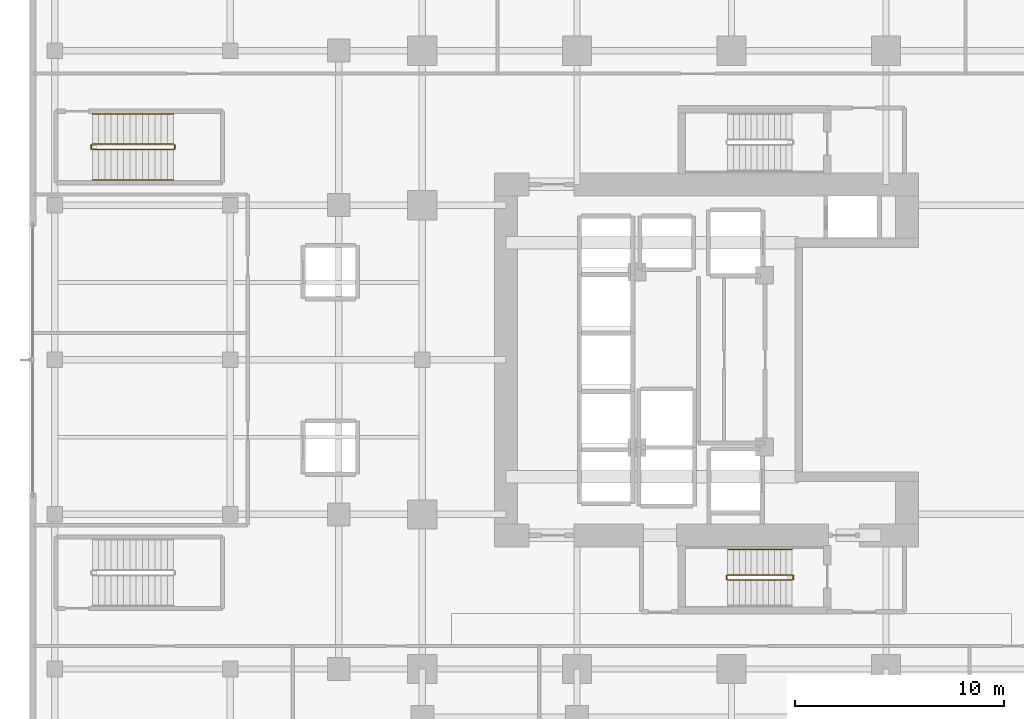
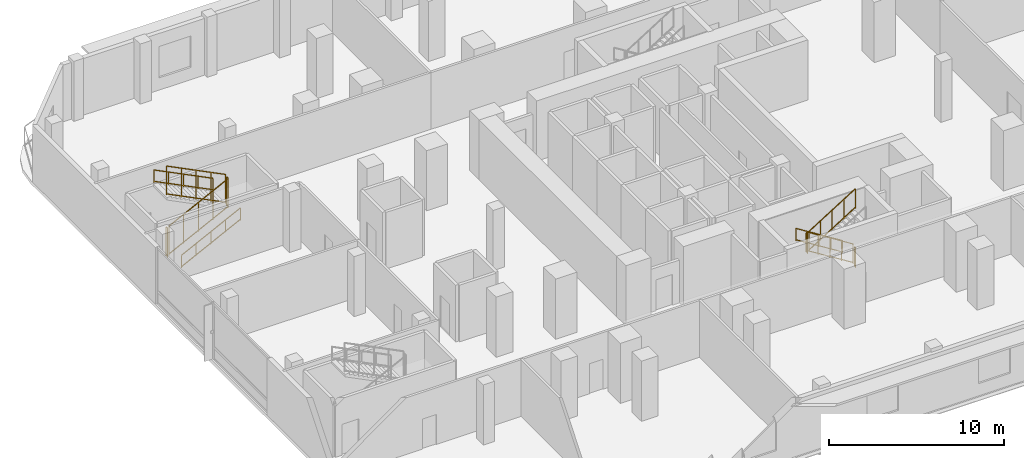
# One storey, part 15 of 19: 11 railings.
"""IFC4 building model written with IfcOpenShell, lengths in metres."""

import ifcopenshell
import ifcopenshell.guid

model = None  # the IFC model being written
_history = None  # IfcOwnerHistory: only IFC2X3 demands one
_inside = {}  # id of a spatial element -> (the spatial element, [elements in it])
_under = {}  # id of a project, library or spatial element -> (it, [spatial elements below it])
_declared = {}  # id of a project -> (the project, [libraries it declares])
_typed = {}  # id of a type object -> (the type object, [elements of that type])
_made_of = {}  # id of a material, layer set ... -> (it, [elements and type objects made of it])


def new_model(schema):
    """Start an empty IFC model of exactly this schema.

    Asked for "IFC4X3", IfcOpenShell would pick the latest addendum, in which some entities
    have other attributes; the version numbers below select the first issue.
    IFC2X3 requires an IfcOwnerHistory on every rooted entity: one is made here for all.
    """
    global model, _history
    if schema == "IFC4X3":
        model = ifcopenshell.file(schema_version=(4, 3, 0, 0))
    else:
        model = ifcopenshell.file(schema=schema)
    _inside.clear()
    _under.clear()
    _declared.clear()
    _typed.clear()
    _made_of.clear()
    _history = None
    if model.schema == "IFC2X3":
        org = make("IfcOrganization", Name="unknown")
        user = make(
            "IfcPersonAndOrganization",
            ThePerson=make("IfcPerson", FamilyName="unknown"),
            TheOrganization=org,
        )
        app = make(
            "IfcApplication",
            ApplicationDeveloper=org,
            Version="unknown",
            ApplicationFullName="unknown",
            ApplicationIdentifier="unknown",
        )
        _history = make(
            "IfcOwnerHistory",
            OwningUser=user,
            OwningApplication=app,
            ChangeAction="ADDED",
            CreationDate=0,
        )
    return model


def make(cls, **values):
    """One entity of the class cls with the attributes given. An attribute that is None is left unset."""
    return model.create_entity(
        cls, **{name: value for name, value in values.items() if value is not None}
    )


def rooted(cls, **values):
    """An entity with a GlobalId (a new one), such as an element, a storey or a relation."""
    return make(cls, GlobalId=ifcopenshell.guid.new(), OwnerHistory=_history, **values)


def si_unit(unit_type, name, prefix=None):
    """IfcSIUnit, for example si_unit("LENGTHUNIT", "METRE", prefix="MILLI")."""
    return make("IfcSIUnit", UnitType=unit_type, Prefix=prefix, Name=name)


def assignment(units):
    """IfcUnitAssignment: the units of a project."""
    return None if units is None else make("IfcUnitAssignment", Units=units)


def point(xyz):
    """IfcCartesianPoint."""
    return None if xyz is None else make("IfcCartesianPoint", Coordinates=xyz)


def direction(xyz):
    """IfcDirection."""
    return None if xyz is None else make("IfcDirection", DirectionRatios=xyz)


def frame(location, z_axis=None, x_axis=None):
    """IfcAxis2Placement3D, a coordinate frame: its origin and axes. An axis left out is left unset."""
    return make(
        "IfcAxis2Placement3D",
        Location=point(location),
        Axis=direction(z_axis),
        RefDirection=direction(x_axis),
    )


def frame_2d(location, x_axis=None):
    """IfcAxis2Placement2D, a coordinate frame in the plane: its origin and x axis."""
    return make(
        "IfcAxis2Placement2D", Location=point(location), RefDirection=direction(x_axis)
    )


def origin():
    """The frame at (0, 0, 0) with its axes left unset."""
    return frame((0.0, 0.0, 0.0))


def origin_2d():
    """The frame at (0, 0) in the plane with its x axis left unset."""
    return frame_2d((0.0, 0.0))


def place(relative_to, where):
    """IfcLocalPlacement: puts the frame where relative to a parent placement (None: the world)."""
    return make(
        "IfcLocalPlacement", PlacementRelTo=relative_to, RelativePlacement=where
    )


def context(
    kind, dimensions, precision=None, world=None, true_north=None, identifier=None
):
    """IfcGeometricRepresentationContext, for example the 3D "Model" context."""
    return make(
        "IfcGeometricRepresentationContext",
        ContextIdentifier=identifier,
        ContextType=kind,
        CoordinateSpaceDimension=dimensions,
        Precision=precision,
        WorldCoordinateSystem=world,
        TrueNorth=true_north,
    )


def subcontext(parent, identifier, kind, view, scale=None):
    """IfcGeometricRepresentationSubContext, for example "Body" below "Model"."""
    return make(
        "IfcGeometricRepresentationSubContext",
        ContextIdentifier=identifier,
        ContextType=kind,
        ParentContext=parent,
        TargetScale=scale,
        TargetView=view,
    )


def project(units=None, contexts=None):
    """IfcProject with its units and contexts."""
    return rooted(
        "IfcProject",
        Name="project",
        RepresentationContexts=contexts,
        UnitsInContext=assignment(units),
    )


def spatial(cls, under=None, at=None, **own):
    """A site, building, storey or space (cls), placed at a placement, below another one or the project."""
    s = rooted(cls, ObjectPlacement=at, **own)
    if under is not None:
        _under.setdefault(under.id(), (under, []))[1].append(s)
    return s


def profile(cls, at=None, kind="AREA", **sizes):
    """A parametric profile (cls). Its sizes go by their IFC names, for example OverallWidth=200.0."""
    return make(cls, ProfileType=kind, Position=at, **sizes)


def rectangle(**sizes):
    """IfcRectangleProfileDef."""
    return profile("IfcRectangleProfileDef", **sizes)


def extrude(swept, where, along, depth):
    """IfcExtrudedAreaSolid: the profile swept, set in the frame where, extruded along a direction by depth."""
    return make(
        "IfcExtrudedAreaSolid",
        SweptArea=swept,
        Position=where,
        ExtrudedDirection=direction(along),
        Depth=depth,
    )


def shape(context_of_items, identifier, shape_type, items):
    """IfcShapeRepresentation: the items that make up one representation, for example the "Body"."""
    return make(
        "IfcShapeRepresentation",
        ContextOfItems=context_of_items,
        RepresentationIdentifier=identifier,
        RepresentationType=shape_type,
        Items=items,
    )


def material(Name=None, Category=None):
    """IfcMaterial."""
    return make("IfcMaterial", Name=Name, Category=Category)


def made_of(thing, what):
    """Note that an element or type object is made of a material, layer set ...; save() writes the relation."""
    if what is not None:
        _made_of.setdefault(what.id(), (what, []))[1].append(thing)
    return thing


def type_object(cls, material=None, **own):
    """A type object (cls), such as IfcWallType, which elements share."""
    return made_of(rooted(cls, **own), material)


def element(
    cls,
    number,
    at=None,
    inside=None,
    cuts=None,
    type_object=None,
    material=None,
    context=None,
    identifier="Body",
    shape_type=None,
    held_by="IfcProductDefinitionShape",
    body=None,
    shapes=None,
    **own,
):
    """One element of the class cls, such as IfcWall. Its Tag is "e" and its number.

    at: its placement. inside: the storey or other place that contains it. cuts: it is an
    opening in that element (IfcRelVoidsElement). A single representation is given by context,
    identifier, shape_type and body (its items); several are given by shapes. held_by: the class
    of the entity that holds the representations. save() writes the other relations.
    """
    e = rooted(cls, Tag="e%d" % number, ObjectPlacement=at, **own)
    if body is not None:
        shapes = [shape(context, identifier, shape_type, body)]
    if shapes is not None:
        e.Representation = make(held_by, Representations=shapes)
    if inside is not None:
        _inside.setdefault(inside.id(), (inside, []))[1].append(e)
    if cuts is not None:
        rooted(
            "IfcRelVoidsElement", RelatingBuildingElement=cuts, RelatedOpeningElement=e
        )
    if type_object is not None:
        _typed.setdefault(type_object.id(), (type_object, []))[1].append(e)
    return made_of(e, material)


def aggregate(whole, parts):
    """IfcRelAggregates: a whole, such as a stair, and the parts it consists of."""
    return rooted("IfcRelAggregates", RelatingObject=whole, RelatedObjects=parts)


def save(model, path):
    """Write the relations noted so far, then the file.

    IfcRelAggregates (storeys below a building ...), IfcRelContainedInSpatialStructure (elements
    in a storey), IfcRelDefinesByType, IfcRelAssociatesMaterial and IfcRelDeclares: one each for
    every whole, place, type object, material and project.
    """
    for whole, parts in _under.values():
        aggregate(whole, parts)
    for where, things in _inside.values():
        rooted(
            "IfcRelContainedInSpatialStructure",
            RelatedElements=things,
            RelatingStructure=where,
        )
    for kind, things in _typed.values():
        rooted("IfcRelDefinesByType", RelatedObjects=things, RelatingType=kind)
    for what, things in _made_of.values():
        rooted("IfcRelAssociatesMaterial", RelatedObjects=things, RelatingMaterial=what)
    for by, libraries in _declared.values():
        rooted("IfcRelDeclares", RelatingContext=by, RelatedDefinitions=libraries)
    model.write(path)


model = new_model("IFC4")

# Units and contexts
model_context = context("Model", 3, precision=1e-05, world=origin(), true_north=direction((0.0, 1.0)))
body_context = subcontext(model_context, "Body", "Model", "MODEL_VIEW")
ifc_project = project(units=[si_unit("LENGTHUNIT", "METRE"), si_unit("AREAUNIT", "SQUARE_METRE"), si_unit("VOLUMEUNIT", "CUBIC_METRE"), si_unit("PLANEANGLEUNIT", "RADIAN"), si_unit("MASSUNIT", "GRAM", prefix="KILO")], contexts=[model_context])

# Site, building, storey
site_placement = place(None, origin())
site = spatial("IfcSite", under=ifc_project, at=site_placement, CompositionType="ELEMENT")
building_placement = place(site_placement, origin())
building = spatial("IfcBuilding", under=site, at=building_placement, Name="Khorvyn Point Tower", CompositionType="ELEMENT")
storey_placement = place(building_placement, frame((0.0, 0.0, 17.39990234375)))
storey = spatial("IfcBuildingStorey", under=building, at=storey_placement, Name="L05", CompositionType="ELEMENT", Elevation=17.39990234375)

# Railings
ifc_material = material(Name="Stainless steel 1.4301", Category="steel")
railing_type_1 = type_object("IfcRailingType", Name="Stainless Steel 304 Stair Pitch Handrail 900", PredefinedType="HANDRAIL", material=ifc_material)
railing_1_placement = place(storey_placement, frame((2.89990234375, -9.070068359375, 0.175048828125)))
element("IfcRailing", 1, at=railing_1_placement, inside=storey, type_object=railing_type_1, Name="L05 ST-01 stair handrail 1", PredefinedType="HANDRAIL", context=body_context, shape_type="SweptSolid", body=[
    extrude(rectangle(XDim=0.048095703125, YDim=0.048095703125, at=origin_2d()), frame((0.0, 0.0, 0.8759765625), z_axis=(-0.847979421464, 0.0, 0.530029150871), x_axis=(0.0, -1.0, 0.0)), (0.0, 0.0, 1.0), 3.632080078125),
    extrude(rectangle(XDim=0.048095703125, YDim=0.048095703125, at=origin_2d()), frame((0.0, 0.0, 0.080078125), z_axis=(-0.847979421464, 0.0, 0.530029150871), x_axis=(0.0, -1.0, 0.0)), (0.0, 0.0, 1.0), 3.632080078125),
    extrude(rectangle(XDim=0.0419921875, YDim=0.0419921875, at=origin_2d()), origin(), (0.0, 0.0, 1.0), 0.851806640625),
    extrude(rectangle(XDim=0.0419921875, YDim=0.0419921875, at=origin_2d()), frame((-0.77001953125, 0.0, 0.481201171875)), (0.0, 0.0, 1.0), 0.851806640625),
    extrude(rectangle(XDim=0.0419921875, YDim=0.0419921875, at=origin_2d()), frame((-1.5400390625, 0.0, 0.96240234375)), (0.0, 0.0, 1.0), 0.851806640625),
    extrude(rectangle(XDim=0.0419921875, YDim=0.0419921875, at=origin_2d()), frame((-2.309814453125, 0.0, 1.44384765625)), (0.0, 0.0, 1.0), 0.851806640625),
    extrude(rectangle(XDim=0.0419921875, YDim=0.0419921875, at=origin_2d()), frame((-3.079833984375, 0.0, 1.925048828125)), (0.0, 0.0, 1.0), 0.851806640625),
])
railing_2_placement = place(storey_placement, frame((-30.60009765625, 8.610107421875, 0.150146484375)))
element("IfcRailing", 2, at=railing_2_placement, inside=storey, type_object=railing_type_1, Name="L05 ST-S2 stair handrail 1", PredefinedType="HANDRAIL", context=body_context, shape_type="SweptSolid", body=[
    extrude(rectangle(XDim=0.048095703125, YDim=0.048095703125, at=origin_2d()), frame((0.0, 0.0, 0.8759765625), z_axis=(0.894438388696, 0.0, 0.447191199406), x_axis=(0.0, 1.0, 0.0)), (0.0, 0.0, 1.0), 4.3603515625),
    extrude(rectangle(XDim=0.048095703125, YDim=0.048095703125, at=origin_2d()), frame((0.0, 0.0, 0.080078125), z_axis=(0.894438388696, 0.0, 0.447191199406), x_axis=(0.0, 1.0, 0.0)), (0.0, 0.0, 1.0), 4.3603515625),
    extrude(rectangle(XDim=0.0419921875, YDim=0.0419921875, at=origin_2d()), origin(), (0.0, 0.0, 1.0), 0.851806640625),
    extrude(rectangle(XDim=0.0419921875, YDim=0.0419921875, at=origin_2d()), frame((0.97509765625, 0.0, 0.487548828125)), (0.0, 0.0, 1.0), 0.851806640625),
    extrude(rectangle(XDim=0.0419921875, YDim=0.0419921875, at=origin_2d()), frame((1.9501953125, 0.0, 0.97509765625)), (0.0, 0.0, 1.0), 0.851806640625),
    extrude(rectangle(XDim=0.0419921875, YDim=0.0419921875, at=origin_2d()), frame((2.925048828125, 0.0, 1.46240234375)), (0.0, 0.0, 1.0), 0.851806640625),
    extrude(rectangle(XDim=0.0419921875, YDim=0.0419921875, at=origin_2d()), frame((3.900146484375, 0.0, 1.949951171875)), (0.0, 0.0, 1.0), 0.851806640625),
])
railing_3_placement = place(storey_placement, frame((-26.699951171875, 11.77001953125, 2.25)))
element("IfcRailing", 3, at=railing_3_placement, inside=storey, type_object=railing_type_1, Name="L05 ST-S2 stair handrail 2", PredefinedType="HANDRAIL", context=body_context, shape_type="SweptSolid", body=[
    extrude(rectangle(XDim=0.048095703125, YDim=0.048095703125, at=origin_2d()), frame((0.0, 0.0, 0.8759765625), z_axis=(-0.894415993023, 0.0, 0.447235990752), x_axis=(0.0, -1.0, 0.0)), (0.0, 0.0, 1.0), 4.360595703125),
    extrude(rectangle(XDim=0.048095703125, YDim=0.048095703125, at=origin_2d()), frame((0.0, 0.0, 0.080078125), z_axis=(-0.894415993023, 0.0, 0.447235990752), x_axis=(0.0, -1.0, 0.0)), (0.0, 0.0, 1.0), 4.360595703125),
    extrude(rectangle(XDim=0.0419921875, YDim=0.0419921875, at=origin_2d()), origin(), (0.0, 0.0, 1.0), 0.851806640625),
    extrude(rectangle(XDim=0.0419921875, YDim=0.0419921875, at=origin_2d()), frame((-0.97509765625, 0.0, 0.487548828125)), (0.0, 0.0, 1.0), 0.851806640625),
    extrude(rectangle(XDim=0.0419921875, YDim=0.0419921875, at=origin_2d()), frame((-1.9501953125, 0.0, 0.97509765625)), (0.0, 0.0, 1.0), 0.851806640625),
    extrude(rectangle(XDim=0.0419921875, YDim=0.0419921875, at=origin_2d()), frame((-2.925048828125, 0.0, 1.462646484375)), (0.0, 0.0, 1.0), 0.851806640625),
    extrude(rectangle(XDim=0.0419921875, YDim=0.0419921875, at=origin_2d()), frame((-3.900146484375, 0.0, 1.9501953125)), (0.0, 0.0, 1.0), 0.851806640625),
])
railing_type_2 = type_object("IfcRailingType", Name="Stainless Steel 304 Stair Well Guardrail 1400", PredefinedType="GUARDRAIL", material=ifc_material)
railing_4_placement = place(storey_placement, frame((2.89990234375, -10.2900390625, 0.175048828125)))
element("IfcRailing", 4, at=railing_4_placement, inside=storey, type_object=railing_type_2, Name="L05 ST-01 stair guard 1", PredefinedType="GUARDRAIL", context=body_context, shape_type="SweptSolid", body=[
    extrude(rectangle(XDim=0.048095703125, YDim=0.048095703125, at=origin_2d()), frame((0.0, 0.0, 1.3759765625), z_axis=(-0.847979421464, 0.0, 0.530029150871), x_axis=(0.0, -1.0, 0.0)), (0.0, 0.0, 1.0), 3.632080078125),
    extrude(rectangle(XDim=0.048095703125, YDim=0.048095703125, at=origin_2d()), frame((0.0, 0.0, 0.080078125), z_axis=(-0.847979421464, 0.0, 0.530029150871), x_axis=(0.0, -1.0, 0.0)), (0.0, 0.0, 1.0), 3.632080078125),
    extrude(rectangle(XDim=0.0419921875, YDim=0.0419921875, at=origin_2d()), origin(), (0.0, 0.0, 1.0), 1.351806640625),
    extrude(rectangle(XDim=0.0419921875, YDim=0.0419921875, at=origin_2d()), frame((-0.77001953125, 0.0, 0.481201171875)), (0.0, 0.0, 1.0), 1.351806640625),
    extrude(rectangle(XDim=0.0419921875, YDim=0.0419921875, at=origin_2d()), frame((-1.5400390625, 0.0, 0.96240234375)), (0.0, 0.0, 1.0), 1.351806640625),
    extrude(rectangle(XDim=0.0419921875, YDim=0.0419921875, at=origin_2d()), frame((-2.309814453125, 0.0, 1.44384765625)), (0.0, 0.0, 1.0), 1.351806640625),
    extrude(rectangle(XDim=0.0419921875, YDim=0.0419921875, at=origin_2d()), frame((-3.079833984375, 0.0, 1.925048828125)), (0.0, 0.0, 1.0), 1.351806640625),
])
railing_5_placement = place(storey_placement, frame((-0.22998046875, -10.340087890625, 2.10009765625)))
element("IfcRailing", 5, at=railing_5_placement, inside=storey, type_object=railing_type_2, Name="L05 ST-01 stair guard 2", PredefinedType="GUARDRAIL", context=body_context, shape_type="SweptSolid", body=[
    extrude(rectangle(XDim=0.048095703125, YDim=0.048095703125, at=origin_2d()), frame((0.0, 0.0, 1.3759765625), z_axis=(0.0, -1.0, 0.0), x_axis=(1.0, 0.0, 0.0)), (0.0, 0.0, 1.0), 0.159912109375),
    extrude(rectangle(XDim=0.048095703125, YDim=0.048095703125, at=origin_2d()), frame((0.0, 0.0, 0.080078125), z_axis=(0.0, -1.0, 0.0), x_axis=(1.0, 0.0, 0.0)), (0.0, 0.0, 1.0), 0.159912109375),
    extrude(rectangle(XDim=0.0419921875, YDim=0.0419921875, at=origin_2d()), origin(), (0.0, 0.0, 1.0), 1.351806640625),
    extrude(rectangle(XDim=0.0419921875, YDim=0.0419921875, at=origin_2d()), frame((0.0, -0.159912109375, 0.0)), (0.0, 0.0, 1.0), 1.351806640625),
])
railing_6_placement = place(storey_placement, frame((-0.179931640625, -10.550048828125, 2.275146484375)))
element("IfcRailing", 6, at=railing_6_placement, inside=storey, type_object=railing_type_2, Name="L05 ST-01 stair guard 3", PredefinedType="GUARDRAIL", context=body_context, shape_type="SweptSolid", body=[
    extrude(rectangle(XDim=0.048095703125, YDim=0.048095703125, at=origin_2d()), frame((0.0, 0.0, 1.3759765625), z_axis=(0.847979421464, 0.0, 0.530029150871), x_axis=(0.0, 1.0, 0.0)), (0.0, 0.0, 1.0), 3.632080078125),
    extrude(rectangle(XDim=0.048095703125, YDim=0.048095703125, at=origin_2d()), frame((0.0, 0.0, 0.080078125), z_axis=(0.847979421464, 0.0, 0.530029150871), x_axis=(0.0, 1.0, 0.0)), (0.0, 0.0, 1.0), 3.632080078125),
    extrude(rectangle(XDim=0.0419921875, YDim=0.0419921875, at=origin_2d()), origin(), (0.0, 0.0, 1.0), 1.351806640625),
    extrude(rectangle(XDim=0.0419921875, YDim=0.0419921875, at=origin_2d()), frame((0.77001953125, 0.0, 0.481201171875)), (0.0, 0.0, 1.0), 1.351806640625),
    extrude(rectangle(XDim=0.0419921875, YDim=0.0419921875, at=origin_2d()), frame((1.5400390625, 0.0, 0.96240234375)), (0.0, 0.0, 1.0), 1.351806640625),
    extrude(rectangle(XDim=0.0419921875, YDim=0.0419921875, at=origin_2d()), frame((2.309814453125, 0.0, 1.44384765625)), (0.0, 0.0, 1.0), 1.351806640625),
    extrude(rectangle(XDim=0.0419921875, YDim=0.0419921875, at=origin_2d()), frame((3.079833984375, 0.0, 1.925048828125)), (0.0, 0.0, 1.0), 1.351806640625),
])
railing_7_placement = place(storey_placement, frame((2.949951171875, -10.340087890625, 0.0)))
element("IfcRailing", 7, at=railing_7_placement, inside=storey, type_object=railing_type_2, Name="L05 ST-01 stair guard 4", PredefinedType="GUARDRAIL", context=body_context, shape_type="SweptSolid", body=[
    extrude(rectangle(XDim=0.048095703125, YDim=0.048095703125, at=origin_2d()), frame((0.0, 0.0, 1.3759765625), z_axis=(0.0, -1.0, 0.0), x_axis=(1.0, 0.0, 0.0)), (0.0, 0.0, 1.0), 0.159912109375),
    extrude(rectangle(XDim=0.048095703125, YDim=0.048095703125, at=origin_2d()), frame((0.0, 0.0, 0.080078125), z_axis=(0.0, -1.0, 0.0), x_axis=(1.0, 0.0, 0.0)), (0.0, 0.0, 1.0), 0.159912109375),
    extrude(rectangle(XDim=0.0419921875, YDim=0.0419921875, at=origin_2d()), origin(), (0.0, 0.0, 1.0), 1.351806640625),
    extrude(rectangle(XDim=0.0419921875, YDim=0.0419921875, at=origin_2d()), frame((0.0, -0.159912109375, 0.0)), (0.0, 0.0, 1.0), 1.351806640625),
])
railing_8_placement = place(storey_placement, frame((-30.60009765625, 10.06005859375, 0.150146484375)))
element("IfcRailing", 8, at=railing_8_placement, inside=storey, type_object=railing_type_2, Name="L05 ST-S2 stair guard 1", PredefinedType="GUARDRAIL", context=body_context, shape_type="SweptSolid", body=[
    extrude(rectangle(XDim=0.048095703125, YDim=0.048095703125, at=origin_2d()), frame((0.0, 0.0, 2.02587890625), z_axis=(0.894438388696, 0.0, 0.447191199406), x_axis=(0.0, 1.0, 0.0)), (0.0, 0.0, 1.0), 4.3603515625),
    extrude(rectangle(XDim=0.048095703125, YDim=0.048095703125, at=origin_2d()), frame((0.0, 0.0, 0.080078125), z_axis=(0.894438388696, 0.0, 0.447191199406), x_axis=(0.0, 1.0, 0.0)), (0.0, 0.0, 1.0), 4.3603515625),
    extrude(rectangle(XDim=0.0419921875, YDim=0.0419921875, at=origin_2d()), origin(), (0.0, 0.0, 1.0), 2.001953125),
    extrude(rectangle(XDim=0.0419921875, YDim=0.0419921875, at=origin_2d()), frame((0.97509765625, 0.0, 0.487548828125)), (0.0, 0.0, 1.0), 2.001953125),
    extrude(rectangle(XDim=0.0419921875, YDim=0.0419921875, at=origin_2d()), frame((1.9501953125, 0.0, 0.97509765625)), (0.0, 0.0, 1.0), 2.001953125),
    extrude(rectangle(XDim=0.0419921875, YDim=0.0419921875, at=origin_2d()), frame((2.925048828125, 0.0, 1.46240234375)), (0.0, 0.0, 1.0), 2.001953125),
    extrude(rectangle(XDim=0.0419921875, YDim=0.0419921875, at=origin_2d()), frame((3.900146484375, 0.0, 1.949951171875)), (0.0, 0.0, 1.0), 2.001953125),
])
railing_9_placement = place(storey_placement, frame((-26.64990234375, 10.110107421875, 2.10009765625)))
element("IfcRailing", 9, at=railing_9_placement, inside=storey, type_object=railing_type_2, Name="L05 ST-S2 stair guard 2", PredefinedType="GUARDRAIL", context=body_context, shape_type="SweptSolid", body=[
    extrude(rectangle(XDim=0.048095703125, YDim=0.048095703125, at=origin_2d()), frame((0.0, 0.0, 2.02587890625), z_axis=(0.0, 1.0, 0.0), x_axis=(-1.0, 0.0, 0.0)), (0.0, 0.0, 1.0), 0.159912109375),
    extrude(rectangle(XDim=0.048095703125, YDim=0.048095703125, at=origin_2d()), frame((0.0, 0.0, 0.080078125), z_axis=(0.0, 1.0, 0.0), x_axis=(-1.0, 0.0, 0.0)), (0.0, 0.0, 1.0), 0.159912109375),
    extrude(rectangle(XDim=0.0419921875, YDim=0.0419921875, at=origin_2d()), origin(), (0.0, 0.0, 1.0), 2.001953125),
    extrude(rectangle(XDim=0.0419921875, YDim=0.0419921875, at=origin_2d()), frame((0.0, 0.159912109375, 0.0)), (0.0, 0.0, 1.0), 2.001953125),
])
railing_10_placement = place(storey_placement, frame((-26.699951171875, 10.320068359375, 2.25)))
element("IfcRailing", 10, at=railing_10_placement, inside=storey, type_object=railing_type_2, Name="L05 ST-S2 stair guard 3", PredefinedType="GUARDRAIL", context=body_context, shape_type="SweptSolid", body=[
    extrude(rectangle(XDim=0.048095703125, YDim=0.048095703125, at=origin_2d()), frame((0.0, 0.0, 2.02587890625), z_axis=(-0.894415993023, 0.0, 0.447235990752), x_axis=(0.0, -1.0, 0.0)), (0.0, 0.0, 1.0), 4.360595703125),
    extrude(rectangle(XDim=0.048095703125, YDim=0.048095703125, at=origin_2d()), frame((0.0, 0.0, 0.080078125), z_axis=(-0.894415993023, 0.0, 0.447235990752), x_axis=(0.0, -1.0, 0.0)), (0.0, 0.0, 1.0), 4.360595703125),
    extrude(rectangle(XDim=0.0419921875, YDim=0.0419921875, at=origin_2d()), origin(), (0.0, 0.0, 1.0), 2.001953125),
    extrude(rectangle(XDim=0.0419921875, YDim=0.0419921875, at=origin_2d()), frame((-0.97509765625, 0.0, 0.487548828125)), (0.0, 0.0, 1.0), 2.001953125),
    extrude(rectangle(XDim=0.0419921875, YDim=0.0419921875, at=origin_2d()), frame((-1.9501953125, 0.0, 0.97509765625)), (0.0, 0.0, 1.0), 2.001953125),
    extrude(rectangle(XDim=0.0419921875, YDim=0.0419921875, at=origin_2d()), frame((-2.925048828125, 0.0, 1.462646484375)), (0.0, 0.0, 1.0), 2.001953125),
    extrude(rectangle(XDim=0.0419921875, YDim=0.0419921875, at=origin_2d()), frame((-3.900146484375, 0.0, 1.9501953125)), (0.0, 0.0, 1.0), 2.001953125),
])
railing_11_placement = place(storey_placement, frame((-30.64990234375, 10.110107421875, 0.0)))
element("IfcRailing", 11, at=railing_11_placement, inside=storey, type_object=railing_type_2, Name="L05 ST-S2 stair guard 4", PredefinedType="GUARDRAIL", context=body_context, shape_type="SweptSolid", body=[
    extrude(rectangle(XDim=0.048095703125, YDim=0.048095703125, at=origin_2d()), frame((0.0, 0.0, 2.02587890625), z_axis=(0.0, 1.0, 0.0), x_axis=(-1.0, 0.0, 0.0)), (0.0, 0.0, 1.0), 0.159912109375),
    extrude(rectangle(XDim=0.048095703125, YDim=0.048095703125, at=origin_2d()), frame((0.0, 0.0, 0.080078125), z_axis=(0.0, 1.0, 0.0), x_axis=(-1.0, 0.0, 0.0)), (0.0, 0.0, 1.0), 0.159912109375),
    extrude(rectangle(XDim=0.0419921875, YDim=0.0419921875, at=origin_2d()), origin(), (0.0, 0.0, 1.0), 2.001953125),
    extrude(rectangle(XDim=0.0419921875, YDim=0.0419921875, at=origin_2d()), frame((0.0, 0.159912109375, 0.0)), (0.0, 0.0, 1.0), 2.001953125),
])

save(model, "model.ifc")
